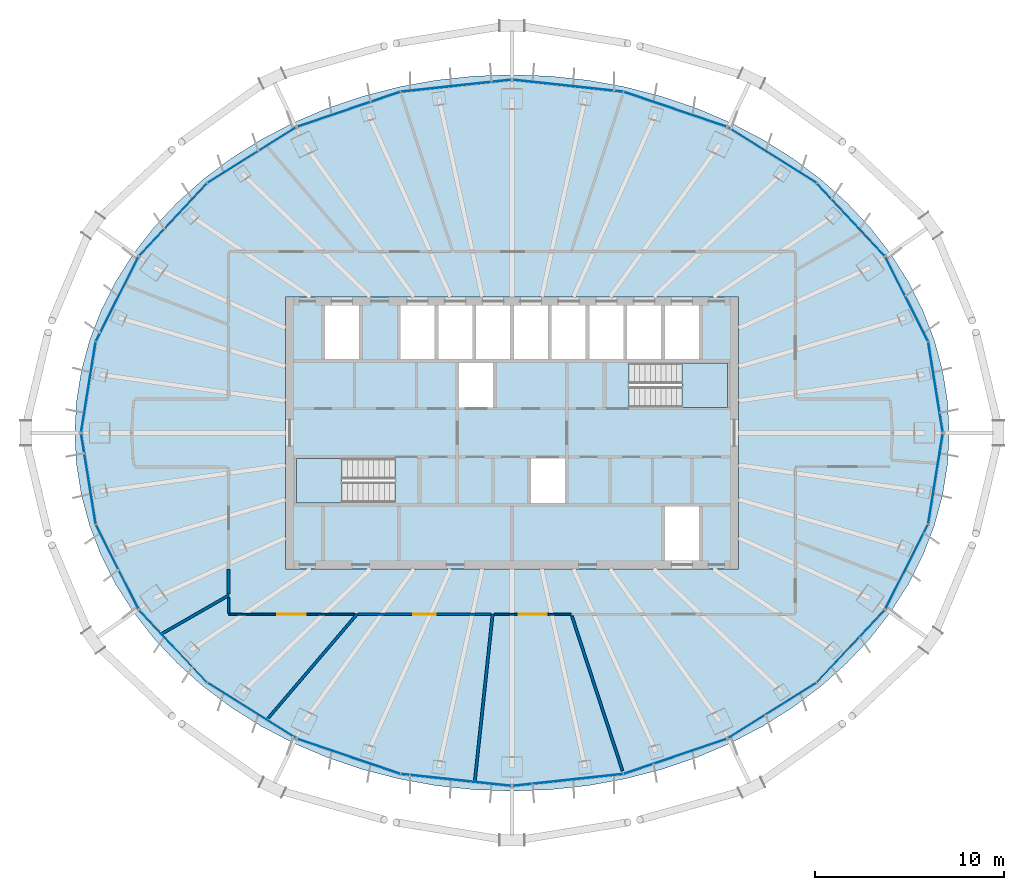
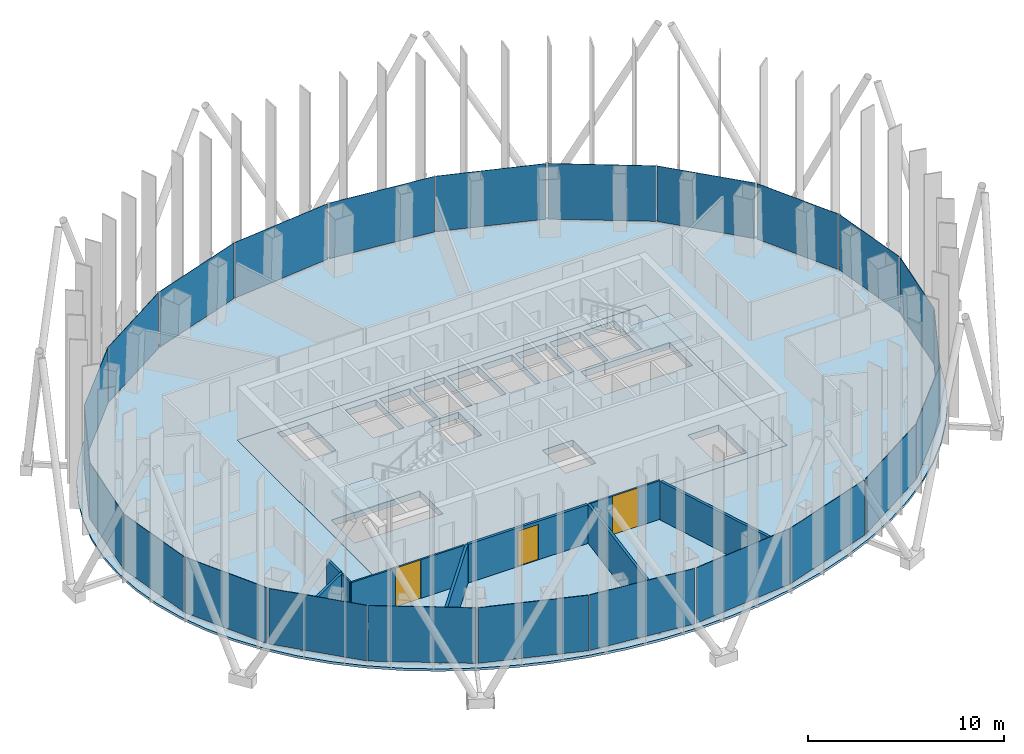
# One storey, part 7 of 17: 24 plates, 9 walls, 4 slabs, 3 doors, 3 openings, 14 elements without a shape of their own.
"""IFC4 building model written with IfcOpenShell, lengths in metres."""

from ifc_helpers import new_model, si_unit, direction, frame, frame_2d, origin, origin_2d, place, context, subcontext, project, spatial, polyline, rectangle, outline, extrude, material, layer, layer_set, type_object, element, fill, aggregate, save


model = new_model("IFC4")

# Units and contexts
model_context = context("Model", 3, precision=1e-05, world=origin(), true_north=direction((0.0, 1.0)))
body_context = subcontext(model_context, "Body", "Model", "MODEL_VIEW")
ifc_project = project(units=[si_unit("LENGTHUNIT", "METRE"), si_unit("AREAUNIT", "SQUARE_METRE"), si_unit("VOLUMEUNIT", "CUBIC_METRE"), si_unit("PLANEANGLEUNIT", "RADIAN"), si_unit("MASSUNIT", "GRAM", prefix="KILO")], contexts=[model_context])

# Site, building, storey
site_placement = place(None, origin())
site = spatial("IfcSite", under=ifc_project, at=site_placement, CompositionType="ELEMENT")
building_placement = place(site_placement, origin())
building = spatial("IfcBuilding", under=site, at=building_placement, Name="Siaravel Broadcast Tower", CompositionType="ELEMENT")
storey_placement = place(building_placement, frame((0.0, 0.0, 190.39990234375)))
storey = spatial("IfcBuildingStorey", under=building, at=storey_placement, Name="L46", CompositionType="ELEMENT", Elevation=190.39990234375)

# Curtain wall, plates
ifc_material_1 = material(Name="Aluminium 6063-T6", Category="aluminium")
ifc_layer_1 = layer(ifc_material_1, 0.179931640625)
ifc_layer_set_1 = layer_set([ifc_layer_1], Name="Aluminium 6063-T6")
curtain_wall_type = type_object("IfcCurtainWallType", Name="Unitised curtain wall, zone 3", PredefinedType="NOTDEFINED", material=ifc_layer_set_1)
curtain_wall_1_placement = place(storey_placement, origin())
curtain_wall_1 = element("IfcCurtainWall", 1, at=curtain_wall_1_placement, inside=storey, type_object=curtain_wall_type, Name="L46 Unitised curtain wall, zone 3 01", PredefinedType="NOTDEFINED")
ifc_material_2 = material(Name="Tinted insulated glass", Category="glass")
ifc_layer_2 = layer(ifc_material_2, 0.028076171875)
ifc_layer_set_2 = layer_set([ifc_layer_2], Name="Tinted insulated glass")
plate_type = type_object("IfcPlateType", Name="CW-Z3 glass panel", PredefinedType="CURTAIN_PANEL", material=ifc_layer_set_2)
plate_1_placement = place(storey_placement, frame((22.4189453125, 2.435302734375, 0.10009765625), z_axis=(0.0, 0.0, 1.0), x_axis=(-0.158685461, 0.987329188, 0.0)))
plate_1 = element("IfcPlate", 2, at=plate_1_placement, type_object=plate_type, Name="CW-Z3 glass panel", PredefinedType="CURTAIN_PANEL", context=body_context, shape_type="SweptSolid", body=[
    extrude(rectangle(XDim=4.81298828125, YDim=0.028076171875, at=origin_2d()), origin(), (0.0, 0.0, 1.0), 3.449951171875),
])
plate_2_placement = place(storey_placement, frame((20.898681640625, 7.082275390625, 0.10009765625), z_axis=(0.0, 0.0, 1.0), x_axis=(-0.45126085, 0.892392092, 0.0)))
plate_2 = element("IfcPlate", 3, at=plate_2_placement, type_object=plate_type, Name="CW-Z3 glass panel", PredefinedType="CURTAIN_PANEL", context=body_context, shape_type="SweptSolid", body=[
    extrude(rectangle(XDim=4.96337890625, YDim=0.028076171875, at=origin_2d()), origin(), (0.0, 0.0, 1.0), 3.449951171875),
])
aggregate(curtain_wall_1, [plate_1, plate_2])

curtain_wall_2_placement = place(storey_placement, origin())
curtain_wall_2 = element("IfcCurtainWall", 4, at=curtain_wall_2_placement, inside=storey, type_object=curtain_wall_type, Name="L46 Unitised curtain wall, zone 3 02", PredefinedType="NOTDEFINED")
plate_3_placement = place(storey_placement, frame((17.928466796875, 11.296875, 0.10009765625), z_axis=(0.0, 0.0, 1.0), x_axis=(-0.6836552, 0.729805157, 0.0)))
plate_3 = element("IfcPlate", 5, at=plate_3_placement, type_object=plate_type, Name="CW-Z3 glass panel", PredefinedType="CURTAIN_PANEL", context=body_context, shape_type="SweptSolid", body=[
    extrude(rectangle(XDim=5.214111328125, YDim=0.028076171875, at=origin_2d()), origin(), (0.0, 0.0, 1.0), 3.449951171875),
])
plate_4_placement = place(storey_placement, frame((13.7763671875, 14.697998046875, 0.10009765625), z_axis=(0.0, 0.0, 1.0), x_axis=(-0.846650687, 0.532149052, 0.0)))
plate_4 = element("IfcPlate", 6, at=plate_4_placement, type_object=plate_type, Name="CW-Z3 glass panel", PredefinedType="CURTAIN_PANEL", context=body_context, shape_type="SweptSolid", body=[
    extrude(rectangle(XDim=5.48974609375, YDim=0.028076171875, at=origin_2d()), origin(), (0.0, 0.0, 1.0), 3.449951171875),
])
aggregate(curtain_wall_2, [plate_3, plate_4])

curtain_wall_3_placement = place(storey_placement, origin())
curtain_wall_3 = element("IfcCurtainWall", 7, at=curtain_wall_3_placement, inside=storey, type_object=curtain_wall_type, Name="L46 Unitised curtain wall, zone 3 03", PredefinedType="NOTDEFINED")
plate_5_placement = place(storey_placement, frame((8.63720703125, 17.128662109375, 0.10009765625), z_axis=(0.0, 0.0, 1.0), x_axis=(-0.946977305, 0.321300458, 0.0)))
plate_5 = element("IfcPlate", 8, at=plate_5_placement, type_object=plate_type, Name="CW-Z3 glass panel", PredefinedType="CURTAIN_PANEL", context=body_context, shape_type="SweptSolid", body=[
    extrude(rectangle(XDim=5.718017578125, YDim=0.028076171875, at=origin_2d()), origin(), (0.0, 0.0, 1.0), 3.449951171875),
])
plate_6_placement = place(storey_placement, frame((2.9658203125, 18.373291015625, 0.10009765625), z_axis=(0.0, 0.0, 1.0), x_axis=(-0.994235598, 0.107217422, 0.0)))
plate_6 = element("IfcPlate", 9, at=plate_6_placement, type_object=plate_type, Name="CW-Z3 glass panel", PredefinedType="CURTAIN_PANEL", context=body_context, shape_type="SweptSolid", body=[
    extrude(rectangle(XDim=5.845703125, YDim=0.028076171875, at=origin_2d()), origin(), (0.0, 0.0, 1.0), 3.449951171875),
])
aggregate(curtain_wall_3, [plate_5, plate_6])

curtain_wall_4_placement = place(storey_placement, origin())
curtain_wall_4 = element("IfcCurtainWall", 10, at=curtain_wall_4_placement, inside=storey, type_object=curtain_wall_type, Name="L46 Unitised curtain wall, zone 3 04", PredefinedType="NOTDEFINED")
plate_7_placement = place(storey_placement, frame((-2.9658203125, 18.373291015625, 0.10009765625), z_axis=(0.0, 0.0, 1.0), x_axis=(-0.994235598, -0.107217422, 0.0)))
plate_7 = element("IfcPlate", 11, at=plate_7_placement, type_object=plate_type, Name="CW-Z3 glass panel", PredefinedType="CURTAIN_PANEL", context=body_context, shape_type="SweptSolid", body=[
    extrude(rectangle(XDim=5.845703125, YDim=0.028076171875, at=origin_2d()), origin(), (0.0, 0.0, 1.0), 3.449951171875),
])
plate_8_placement = place(storey_placement, frame((-8.63720703125, 17.128662109375, 0.10009765625), z_axis=(0.0, 0.0, 1.0), x_axis=(-0.946977305, -0.321300458, 0.0)))
plate_8 = element("IfcPlate", 12, at=plate_8_placement, type_object=plate_type, Name="CW-Z3 glass panel", PredefinedType="CURTAIN_PANEL", context=body_context, shape_type="SweptSolid", body=[
    extrude(rectangle(XDim=5.718017578125, YDim=0.028076171875, at=origin_2d()), origin(), (0.0, 0.0, 1.0), 3.449951171875),
])
aggregate(curtain_wall_4, [plate_7, plate_8])

curtain_wall_5_placement = place(storey_placement, origin())
curtain_wall_5 = element("IfcCurtainWall", 13, at=curtain_wall_5_placement, inside=storey, type_object=curtain_wall_type, Name="L46 Unitised curtain wall, zone 3 05", PredefinedType="NOTDEFINED")
plate_9_placement = place(storey_placement, frame((-13.7763671875, 14.697998046875, 0.10009765625), z_axis=(0.0, 0.0, 1.0), x_axis=(-0.846650687, -0.532149052, 0.0)))
plate_9 = element("IfcPlate", 14, at=plate_9_placement, type_object=plate_type, Name="CW-Z3 glass panel", PredefinedType="CURTAIN_PANEL", context=body_context, shape_type="SweptSolid", body=[
    extrude(rectangle(XDim=5.48974609375, YDim=0.028076171875, at=origin_2d()), origin(), (0.0, 0.0, 1.0), 3.449951171875),
])
plate_10_placement = place(storey_placement, frame((-17.928466796875, 11.296875, 0.10009765625), z_axis=(0.0, 0.0, 1.0), x_axis=(-0.6836552, -0.729805157, 0.0)))
plate_10 = element("IfcPlate", 15, at=plate_10_placement, type_object=plate_type, Name="CW-Z3 glass panel", PredefinedType="CURTAIN_PANEL", context=body_context, shape_type="SweptSolid", body=[
    extrude(rectangle(XDim=5.214111328125, YDim=0.028076171875, at=origin_2d()), origin(), (0.0, 0.0, 1.0), 3.449951171875),
])
aggregate(curtain_wall_5, [plate_9, plate_10])

curtain_wall_6_placement = place(storey_placement, origin())
curtain_wall_6 = element("IfcCurtainWall", 16, at=curtain_wall_6_placement, inside=storey, type_object=curtain_wall_type, Name="L46 Unitised curtain wall, zone 3 06", PredefinedType="NOTDEFINED")
plate_11_placement = place(storey_placement, frame((-20.898681640625, 7.082275390625, 0.10009765625), z_axis=(0.0, 0.0, 1.0), x_axis=(-0.45126085, -0.892392092, 0.0)))
plate_11 = element("IfcPlate", 17, at=plate_11_placement, type_object=plate_type, Name="CW-Z3 glass panel", PredefinedType="CURTAIN_PANEL", context=body_context, shape_type="SweptSolid", body=[
    extrude(rectangle(XDim=4.96337890625, YDim=0.028076171875, at=origin_2d()), origin(), (0.0, 0.0, 1.0), 3.449951171875),
])
plate_12_placement = place(storey_placement, frame((-22.4189453125, 2.435302734375, 0.10009765625), z_axis=(0.0, 0.0, 1.0), x_axis=(-0.158685461, -0.987329188, 0.0)))
plate_12 = element("IfcPlate", 18, at=plate_12_placement, type_object=plate_type, Name="CW-Z3 glass panel", PredefinedType="CURTAIN_PANEL", context=body_context, shape_type="SweptSolid", body=[
    extrude(rectangle(XDim=4.81298828125, YDim=0.028076171875, at=origin_2d()), origin(), (0.0, 0.0, 1.0), 3.449951171875),
])
aggregate(curtain_wall_6, [plate_11, plate_12])

curtain_wall_7_placement = place(storey_placement, origin())
curtain_wall_7 = element("IfcCurtainWall", 19, at=curtain_wall_7_placement, inside=storey, type_object=curtain_wall_type, Name="L46 Unitised curtain wall, zone 3 07", PredefinedType="NOTDEFINED")
plate_13_placement = place(storey_placement, frame((-22.4189453125, -2.435302734375, 0.10009765625), z_axis=(0.0, 0.0, 1.0), x_axis=(0.158685461, -0.987329188, 0.0)))
plate_13 = element("IfcPlate", 20, at=plate_13_placement, type_object=plate_type, Name="CW-Z3 glass panel", PredefinedType="CURTAIN_PANEL", context=body_context, shape_type="SweptSolid", body=[
    extrude(rectangle(XDim=4.81298828125, YDim=0.028076171875, at=origin_2d()), origin(), (0.0, 0.0, 1.0), 3.449951171875),
])
plate_14_placement = place(storey_placement, frame((-20.898681640625, -7.082275390625, 0.10009765625), z_axis=(0.0, 0.0, 1.0), x_axis=(0.45126085, -0.892392092, 0.0)))
plate_14 = element("IfcPlate", 21, at=plate_14_placement, type_object=plate_type, Name="CW-Z3 glass panel", PredefinedType="CURTAIN_PANEL", context=body_context, shape_type="SweptSolid", body=[
    extrude(rectangle(XDim=4.96337890625, YDim=0.028076171875, at=origin_2d()), origin(), (0.0, 0.0, 1.0), 3.449951171875),
])
aggregate(curtain_wall_7, [plate_13, plate_14])

curtain_wall_8_placement = place(storey_placement, origin())
curtain_wall_8 = element("IfcCurtainWall", 22, at=curtain_wall_8_placement, inside=storey, type_object=curtain_wall_type, Name="L46 Unitised curtain wall, zone 3 08", PredefinedType="NOTDEFINED")
plate_15_placement = place(storey_placement, frame((-17.928466796875, -11.296875, 0.10009765625), z_axis=(0.0, 0.0, 1.0), x_axis=(0.6836552, -0.729805157, 0.0)))
plate_15 = element("IfcPlate", 23, at=plate_15_placement, type_object=plate_type, Name="CW-Z3 glass panel", PredefinedType="CURTAIN_PANEL", context=body_context, shape_type="SweptSolid", body=[
    extrude(rectangle(XDim=5.214111328125, YDim=0.028076171875, at=origin_2d()), origin(), (0.0, 0.0, 1.0), 3.449951171875),
])
plate_16_placement = place(storey_placement, frame((-13.7763671875, -14.697998046875, 0.10009765625), z_axis=(0.0, 0.0, 1.0), x_axis=(0.846650687, -0.532149052, 0.0)))
plate_16 = element("IfcPlate", 24, at=plate_16_placement, type_object=plate_type, Name="CW-Z3 glass panel", PredefinedType="CURTAIN_PANEL", context=body_context, shape_type="SweptSolid", body=[
    extrude(rectangle(XDim=5.48974609375, YDim=0.028076171875, at=origin_2d()), origin(), (0.0, 0.0, 1.0), 3.449951171875),
])
aggregate(curtain_wall_8, [plate_15, plate_16])

curtain_wall_9_placement = place(storey_placement, origin())
curtain_wall_9 = element("IfcCurtainWall", 25, at=curtain_wall_9_placement, inside=storey, type_object=curtain_wall_type, Name="L46 Unitised curtain wall, zone 3 09", PredefinedType="NOTDEFINED")
plate_17_placement = place(storey_placement, frame((-8.63720703125, -17.128662109375, 0.10009765625), z_axis=(0.0, 0.0, 1.0), x_axis=(0.946977305, -0.321300458, 0.0)))
plate_17 = element("IfcPlate", 26, at=plate_17_placement, type_object=plate_type, Name="CW-Z3 glass panel", PredefinedType="CURTAIN_PANEL", context=body_context, shape_type="SweptSolid", body=[
    extrude(rectangle(XDim=5.718017578125, YDim=0.028076171875, at=origin_2d()), origin(), (0.0, 0.0, 1.0), 3.449951171875),
])
plate_18_placement = place(storey_placement, frame((-2.9658203125, -18.373291015625, 0.10009765625), z_axis=(0.0, 0.0, 1.0), x_axis=(0.994235598, -0.107217422, 0.0)))
plate_18 = element("IfcPlate", 27, at=plate_18_placement, type_object=plate_type, Name="CW-Z3 glass panel", PredefinedType="CURTAIN_PANEL", context=body_context, shape_type="SweptSolid", body=[
    extrude(rectangle(XDim=5.845703125, YDim=0.028076171875, at=origin_2d()), origin(), (0.0, 0.0, 1.0), 3.449951171875),
])
aggregate(curtain_wall_9, [plate_17, plate_18])

curtain_wall_10_placement = place(storey_placement, origin())
curtain_wall_10 = element("IfcCurtainWall", 28, at=curtain_wall_10_placement, inside=storey, type_object=curtain_wall_type, Name="L46 Unitised curtain wall, zone 3 10", PredefinedType="NOTDEFINED")
plate_19_placement = place(storey_placement, frame((2.9658203125, -18.373291015625, 0.10009765625), z_axis=(0.0, 0.0, 1.0), x_axis=(0.994235598, 0.107217422, 0.0)))
plate_19 = element("IfcPlate", 29, at=plate_19_placement, type_object=plate_type, Name="CW-Z3 glass panel", PredefinedType="CURTAIN_PANEL", context=body_context, shape_type="SweptSolid", body=[
    extrude(rectangle(XDim=5.845703125, YDim=0.028076171875, at=origin_2d()), origin(), (0.0, 0.0, 1.0), 3.449951171875),
])
plate_20_placement = place(storey_placement, frame((8.63720703125, -17.128662109375, 0.10009765625), z_axis=(0.0, 0.0, 1.0), x_axis=(0.946977305, 0.321300458, 0.0)))
plate_20 = element("IfcPlate", 30, at=plate_20_placement, type_object=plate_type, Name="CW-Z3 glass panel", PredefinedType="CURTAIN_PANEL", context=body_context, shape_type="SweptSolid", body=[
    extrude(rectangle(XDim=5.718017578125, YDim=0.028076171875, at=origin_2d()), origin(), (0.0, 0.0, 1.0), 3.449951171875),
])
aggregate(curtain_wall_10, [plate_19, plate_20])

curtain_wall_11_placement = place(storey_placement, origin())
curtain_wall_11 = element("IfcCurtainWall", 31, at=curtain_wall_11_placement, inside=storey, type_object=curtain_wall_type, Name="L46 Unitised curtain wall, zone 3 11", PredefinedType="NOTDEFINED")
plate_21_placement = place(storey_placement, frame((13.7763671875, -14.697998046875, 0.10009765625), z_axis=(0.0, 0.0, 1.0), x_axis=(0.846650687, 0.532149052, 0.0)))
plate_21 = element("IfcPlate", 32, at=plate_21_placement, type_object=plate_type, Name="CW-Z3 glass panel", PredefinedType="CURTAIN_PANEL", context=body_context, shape_type="SweptSolid", body=[
    extrude(rectangle(XDim=5.48974609375, YDim=0.028076171875, at=origin_2d()), origin(), (0.0, 0.0, 1.0), 3.449951171875),
])
plate_22_placement = place(storey_placement, frame((17.928466796875, -11.296875, 0.10009765625), z_axis=(0.0, 0.0, 1.0), x_axis=(0.6836552, 0.729805157, 0.0)))
plate_22 = element("IfcPlate", 33, at=plate_22_placement, type_object=plate_type, Name="CW-Z3 glass panel", PredefinedType="CURTAIN_PANEL", context=body_context, shape_type="SweptSolid", body=[
    extrude(rectangle(XDim=5.214111328125, YDim=0.028076171875, at=origin_2d()), origin(), (0.0, 0.0, 1.0), 3.449951171875),
])
aggregate(curtain_wall_11, [plate_21, plate_22])

curtain_wall_12_placement = place(storey_placement, origin())
curtain_wall_12 = element("IfcCurtainWall", 34, at=curtain_wall_12_placement, inside=storey, type_object=curtain_wall_type, Name="L46 Unitised curtain wall, zone 3 12", PredefinedType="NOTDEFINED")
plate_23_placement = place(storey_placement, frame((20.898681640625, -7.082275390625, 0.10009765625), z_axis=(0.0, 0.0, 1.0), x_axis=(0.45126085, 0.892392092, 0.0)))
plate_23 = element("IfcPlate", 35, at=plate_23_placement, type_object=plate_type, Name="CW-Z3 glass panel", PredefinedType="CURTAIN_PANEL", context=body_context, shape_type="SweptSolid", body=[
    extrude(rectangle(XDim=4.96337890625, YDim=0.028076171875, at=origin_2d()), origin(), (0.0, 0.0, 1.0), 3.449951171875),
])
plate_24_placement = place(storey_placement, frame((22.4189453125, -2.435302734375, 0.10009765625), z_axis=(0.0, 0.0, 1.0), x_axis=(0.158685461, 0.987329188, 0.0)))
plate_24 = element("IfcPlate", 36, at=plate_24_placement, type_object=plate_type, Name="CW-Z3 glass panel", PredefinedType="CURTAIN_PANEL", context=body_context, shape_type="SweptSolid", body=[
    extrude(rectangle(XDim=4.81298828125, YDim=0.028076171875, at=origin_2d()), origin(), (0.0, 0.0, 1.0), 3.449951171875),
])
aggregate(curtain_wall_12, [plate_23, plate_24])

# Slabs
ifc_material_3 = material(Name="Concrete C40/50", Category="concrete")
ifc_layer_3 = layer(ifc_material_3, 0.39990234375)
ifc_layer_set_3 = layer_set([ifc_layer_3], Name="Concrete C40/50")
slab_type_1 = type_object("IfcSlabType", Name="Core floor slab 400", PredefinedType="FLOOR", material=ifc_layer_set_3)
slab_1_placement = place(storey_placement, frame((0.0, 0.0, -0.39990234375)))
element("IfcSlab", 37, at=slab_1_placement, inside=storey, type_object=slab_type_1, Name="L46 core floor", PredefinedType="FLOOR", context=body_context, shape_type="SweptSolid", body=[
    extrude(outline(polyline([(-12.0, -7.199951171875), (-12.0, 7.199951171875), (12.0, 7.199951171875), (12.0, -7.199951171875), (-12.0, -7.199951171875)]), holes=[polyline([(11.3994140625, 1.3505859375), (11.3994140625, 3.699462890625), (6.200439453125, 3.699462890625), (6.200439453125, 1.3505859375), (11.3994140625, 1.3505859375)]), polyline([(8.10009765625, -3.89990234375), (8.10009765625, -6.75), (9.89990234375, -6.75), (9.89990234375, -3.89990234375), (8.10009765625, -3.89990234375)]), polyline([(9.89990234375, 6.75), (8.10009765625, 6.75), (8.10009765625, 3.89990234375), (9.89990234375, 3.89990234375), (9.89990234375, 6.75)]), polyline([(7.89990234375, 6.75), (6.10009765625, 6.75), (6.10009765625, 3.89990234375), (7.89990234375, 3.89990234375), (7.89990234375, 6.75)]), polyline([(5.89990234375, 6.75), (4.10009765625, 6.75), (4.10009765625, 3.89990234375), (5.89990234375, 3.89990234375), (5.89990234375, 6.75)]), polyline([(3.89990234375, 6.75), (2.10009765625, 6.75), (2.10009765625, 3.89990234375), (3.89990234375, 3.89990234375), (3.89990234375, 6.75)]), polyline([(2.800048828125, -1.35009765625), (1.0, -1.35009765625), (1.0, -3.699951171875), (2.800048828125, -3.699951171875), (2.800048828125, -1.35009765625)]), polyline([(1.89990234375, 6.75), (0.10009765625, 6.75), (0.10009765625, 3.89990234375), (1.89990234375, 3.89990234375), (1.89990234375, 6.75)]), polyline([(-0.10009765625, 6.75), (-1.89990234375, 6.75), (-1.89990234375, 3.89990234375), (-0.10009765625, 3.89990234375), (-0.10009765625, 6.75)]), polyline([(-1.0, 3.699951171875), (-2.800048828125, 3.699951171875), (-2.800048828125, 1.35009765625), (-1.0, 1.35009765625), (-1.0, 3.699951171875)]), polyline([(-2.10009765625, 6.75), (-3.89990234375, 6.75), (-3.89990234375, 3.89990234375), (-2.10009765625, 3.89990234375), (-2.10009765625, 6.75)]), polyline([(-4.10009765625, 6.75), (-5.89990234375, 6.75), (-5.89990234375, 3.89990234375), (-4.10009765625, 3.89990234375), (-4.10009765625, 6.75)]), polyline([(-11.3994140625, -3.699462890625), (-6.200439453125, -3.699462890625), (-6.200439453125, -1.3505859375), (-11.3994140625, -1.3505859375), (-11.3994140625, -3.699462890625)]), polyline([(-8.10009765625, 6.75), (-9.89990234375, 6.75), (-9.89990234375, 3.89990234375), (-8.10009765625, 3.89990234375), (-8.10009765625, 6.75)])]), origin(), (0.0, 0.0, 1.0), 0.39990234375),
])
ifc_layer_4 = layer(ifc_material_3, 0.14990234375)
ifc_layer_set_4 = layer_set([ifc_layer_4], Name="Concrete C40/50")
slab_type_2 = type_object("IfcSlabType", Name="SLB-FLOOR-150", PredefinedType="FLOOR", material=ifc_layer_set_4)
slab_2_placement = place(storey_placement, frame((0.0, 0.0, -0.14990234375)))
element("IfcSlab", 38, at=slab_2_placement, inside=storey, type_object=slab_type_2, Name="Floor slab", PredefinedType="FLOOR", context=body_context, shape_type="SweptSolid", body=[
    extrude(outline(polyline([(23.14453125, 0.0), (23.056396484375, 1.65234375), (22.79296875, 3.2919921875), (22.35595703125, 4.90673828125), (21.748779296875, 6.48388671875), (20.97607421875, 8.011962890625), (20.043701171875, 9.47900390625), (18.958984375, 10.873779296875), (17.729736328125, 12.185791015625), (16.365478515625, 13.4052734375), (14.876953125, 14.522705078125), (13.275146484375, 15.529296875), (11.572265625, 16.41796875), (9.78125, 17.181640625), (7.916015625, 17.814697265625), (5.990234375, 18.31201171875), (4.01904296875, 18.669921875), (2.01708984375, 18.8857421875), (0.0, 18.9580078125), (-2.01708984375, 18.8857421875), (-4.01904296875, 18.669921875), (-5.990234375, 18.31201171875), (-7.916015625, 17.814697265625), (-9.78125, 17.181640625), (-11.572265625, 16.41796875), (-13.275146484375, 15.529296875), (-14.876953125, 14.522705078125), (-16.365478515625, 13.4052734375), (-17.729736328125, 12.185791015625), (-18.958984375, 10.873779296875), (-20.043701171875, 9.47900390625), (-20.97607421875, 8.011962890625), (-21.748779296875, 6.48388671875), (-22.35595703125, 4.90673828125), (-22.79296875, 3.2919921875), (-23.056396484375, 1.65234375), (-23.14453125, 0.0), (-23.056396484375, -1.65234375), (-22.79296875, -3.2919921875), (-22.35595703125, -4.90673828125), (-21.748779296875, -6.48388671875), (-20.97607421875, -8.011962890625), (-20.043701171875, -9.47900390625), (-18.958984375, -10.873779296875), (-17.729736328125, -12.185791015625), (-16.365478515625, -13.4052734375), (-14.876953125, -14.522705078125), (-13.275146484375, -15.529296875), (-11.572265625, -16.41796875), (-9.78125, -17.181640625), (-7.916015625, -17.814697265625), (-5.990234375, -18.31201171875), (-4.01904296875, -18.669921875), (-2.01708984375, -18.8857421875), (0.0, -18.9580078125), (2.01708984375, -18.8857421875), (4.01904296875, -18.669921875), (5.990234375, -18.31201171875), (7.916015625, -17.814697265625), (9.78125, -17.181640625), (11.572265625, -16.41796875), (13.275146484375, -15.529296875), (14.876953125, -14.522705078125), (16.365478515625, -13.4052734375), (17.729736328125, -12.185791015625), (18.958984375, -10.873779296875), (20.043701171875, -9.47900390625), (20.97607421875, -8.011962890625), (21.748779296875, -6.48388671875), (22.35595703125, -4.90673828125), (22.79296875, -3.2919921875), (23.056396484375, -1.65234375), (23.14453125, 0.0)]), holes=[polyline([(-12.0, 7.199951171875), (12.0, 7.199951171875), (12.0, -7.199951171875), (-12.0, -7.199951171875), (-12.0, 7.199951171875)])]), origin(), (0.0, 0.0, 1.0), 0.14990234375),
])

# Stair, slab
stair_type = type_object("IfcStairType", Name="Core exit stair", PredefinedType="HALF_TURN_STAIR", material=ifc_material_3)
stair_1_placement = place(storey_placement, origin())
stair_1 = element("IfcStair", 39, at=stair_1_placement, inside=storey, type_object=stair_type, Name="L46 Exit stair ST-1", PredefinedType="HALF_TURN_STAIR")
ifc_layer_5 = layer(ifc_material_3, 0.199951171875)
ifc_layer_set_5 = layer_set([ifc_layer_5], Name="Concrete C40/50")
slab_type_3 = type_object("IfcSlabType", Name="Stair landing", PredefinedType="LANDING", material=ifc_layer_set_5)
slab_3_placement = place(storey_placement, frame((0.0, 0.0, 1.650146484375)))
slab_3 = element("IfcSlab", 40, at=slab_3_placement, type_object=slab_type_3, Name="ST-1 landing 1", PredefinedType="LANDING", context=body_context, shape_type="SweptSolid", body=[
    extrude(outline(polyline([(-9.0, -1.35009765625), (-11.39990234375, -1.35009765625), (-11.39990234375, -3.699951171875), (-9.0, -3.699951171875), (-9.0, -1.35009765625)])), origin(), (0.0, 0.0, 1.0), 0.199951171875),
])
aggregate(stair_1, [slab_3])

stair_2_placement = place(storey_placement, origin())
stair_2 = element("IfcStair", 41, at=stair_2_placement, inside=storey, type_object=stair_type, Name="L46 Exit stair ST-2", PredefinedType="HALF_TURN_STAIR")
slab_4_placement = place(storey_placement, frame((0.0, 0.0, 1.650146484375)))
slab_4 = element("IfcSlab", 42, at=slab_4_placement, type_object=slab_type_3, Name="ST-2 landing 1", PredefinedType="LANDING", context=body_context, shape_type="SweptSolid", body=[
    extrude(outline(polyline([(9.0, 1.35009765625), (11.39990234375, 1.35009765625), (11.39990234375, 3.699951171875), (9.0, 3.699951171875), (9.0, 1.35009765625)])), origin(), (0.0, 0.0, 1.0), 0.199951171875),
])
aggregate(stair_2, [slab_4])

# Wall, opening, door
ifc_material_4 = material(Name="Gypsum board partition", Category="gypsum")
ifc_layer_6 = layer(ifc_material_4, 0.14990234375)
ifc_layer_set_6 = layer_set([ifc_layer_6], Name="Gypsum board partition")
wall_type_1 = type_object("IfcWallType", Name="Corridor wall 150", PredefinedType="PARTITIONING", material=ifc_layer_set_6)
wall_1_placement = place(storey_placement, frame((-8.1474609375, -9.60009765625, 0.0), z_axis=(0.0, 0.0, 1.0), x_axis=(1.0, 0.0, 0.0)))
wall_1 = element("IfcWall", 43, at=wall_1_placement, inside=storey, type_object=wall_type_1, Name="L46 partition 9", PredefinedType="PARTITIONING", context=body_context, shape_type="SweptSolid", body=[
    extrude(rectangle(XDim=7.03662109375, YDim=0.14990234375, at=frame_2d((3.518310546875, 0.0))), origin(), (0.0, 0.0, 1.0), 2.400146484375),
])
opening_1_placement = place(wall_1_placement, frame((2.918212890625, 0.0, 0.0)))
opening_1 = element("IfcOpeningElement", 44, at=opening_1_placement, cuts=wall_1, Name="Opening L46-001", PredefinedType="OPENING", context=body_context, shape_type="SweptSolid", body=[
    extrude(rectangle(XDim=1.199951171875, YDim=2.199951171875, at=frame_2d((0.60009765625, 1.10009765625))), frame((0.0, 0.0849609375, 0.0), z_axis=(0.0, -1.0, 0.0), x_axis=(1.0, 0.0, 0.0)), (0.0, 0.0, 1.0), 0.169921875),
])
ifc_material_5 = material(Name="Timber veneer", Category="wood")
door_type_1 = type_object("IfcDoorType", Name="Office double door 1200", OperationType="DOUBLE_DOOR_SINGLE_SWING", PredefinedType="DOOR", material=ifc_material_5)
door_1_placement = place(opening_1_placement, origin())
door_1 = element("IfcDoor", 45, at=door_1_placement, inside=storey, type_object=door_type_1, Name="L46 door to Open plan office", OperationType="DOUBLE_DOOR_SINGLE_SWING", OverallHeight=2.199951171875, OverallWidth=1.199951171875, PredefinedType="DOOR", context=body_context, shape_type="SweptSolid", body=[
    extrude(rectangle(XDim=1.199951171875, YDim=2.199951171875, at=frame_2d((0.60009765625, 1.10009765625))), frame((0.0, 0.02490234375, 0.0), z_axis=(0.0, -1.0, 0.0), x_axis=(1.0, 0.0, 0.0)), (0.0, 0.0, 1.0), 0.050048828125),
])
fill(opening_1, door_1)

# Wall
wall_2_placement = place(storey_placement, frame((-15.0, -7.212890625, 0.0), z_axis=(0.0, 0.0, 1.0), x_axis=(0.0, -1.0, 0.0)))
element("IfcWall", 46, at=wall_2_placement, inside=storey, type_object=wall_type_1, Name="L46 partition 33", PredefinedType="PARTITIONING", context=body_context, shape_type="SweptSolid", body=[
    extrude(rectangle(XDim=1.3232421875, YDim=0.14990234375, at=frame_2d((0.66162109375, 0.0))), origin(), (0.0, 0.0, 1.0), 2.400146484375),
])

# Wall, opening, door
ifc_material_6 = material(Name="Glazed aluminium partition", Category="aluminium")
ifc_layer_7 = layer(ifc_material_6, 0.10009765625)
ifc_layer_set_7 = layer_set([ifc_layer_7], Name="Glazed aluminium partition")
wall_type_2 = type_object("IfcWallType", Name="Glazed meeting room partition 100", PredefinedType="PARTITIONING", material=ifc_layer_set_7)
wall_3_placement = place(storey_placement, frame((-15.0, -9.60009765625, 0.0), z_axis=(0.0, 0.0, 1.0), x_axis=(1.0, 0.0, 0.0)))
wall_3 = element("IfcWall", 47, at=wall_3_placement, inside=storey, type_object=wall_type_2, Name="L46 partition 10", PredefinedType="PARTITIONING", context=body_context, shape_type="SweptSolid", body=[
    extrude(rectangle(XDim=6.650146484375, YDim=0.10009765625, at=frame_2d((3.3251953125, 0.0))), origin(), (0.0, 0.0, 1.0), 2.400146484375),
])
opening_2_placement = place(wall_3_placement, frame((2.5751953125, 0.0, 0.0)))
opening_2 = element("IfcOpeningElement", 48, at=opening_2_placement, cuts=wall_3, Name="Opening L46-012", PredefinedType="OPENING", context=body_context, shape_type="SweptSolid", body=[
    extrude(rectangle(XDim=1.5, YDim=2.39990234375, at=frame_2d((0.75, 1.199951171875))), frame((0.0, 0.06005859375, 0.0), z_axis=(0.0, -1.0, 0.0), x_axis=(1.0, 0.0, 0.0)), (0.0, 0.0, 1.0), 0.1201171875),
])
door_type_2 = type_object("IfcDoorType", Name="Conference double door 1500", OperationType="DOUBLE_DOOR_SINGLE_SWING", PredefinedType="DOOR", material=ifc_material_5)
door_2_placement = place(opening_2_placement, origin())
door_2 = element("IfcDoor", 49, at=door_2_placement, inside=storey, type_object=door_type_2, Name="L46 door to Boardroom", OperationType="DOUBLE_DOOR_SINGLE_SWING", OverallHeight=2.39990234375, OverallWidth=1.5, PredefinedType="DOOR", context=body_context, shape_type="SweptSolid", body=[
    extrude(rectangle(XDim=1.5, YDim=2.39990234375, at=frame_2d((0.75, 1.199951171875))), frame((0.0, 0.02490234375, 0.0), z_axis=(0.0, -1.0, 0.0), x_axis=(1.0, 0.0, 0.0)), (0.0, 0.0, 1.0), 0.050048828125),
])
fill(opening_2, door_2)

wall_4_placement = place(storey_placement, frame((-0.94873046875, -9.60009765625, 0.0), z_axis=(0.0, 0.0, 1.0), x_axis=(1.0, 0.0, 0.0)))
wall_4 = element("IfcWall", 50, at=wall_4_placement, inside=storey, type_object=wall_type_2, Name="L46 partition 22", PredefinedType="PARTITIONING", context=body_context, shape_type="SweptSolid", body=[
    extrude(rectangle(XDim=4.088134765625, YDim=0.10009765625, at=frame_2d((2.0439453125, 0.0))), origin(), (0.0, 0.0, 1.0), 2.400146484375),
])
opening_3_placement = place(wall_4_placement, frame((1.294189453125, 0.0, 0.0)))
opening_3 = element("IfcOpeningElement", 51, at=opening_3_placement, cuts=wall_4, Name="Opening L46-002", PredefinedType="OPENING", context=body_context, shape_type="SweptSolid", body=[
    extrude(rectangle(XDim=1.5, YDim=2.39990234375, at=frame_2d((0.75, 1.199951171875))), frame((0.0, 0.06005859375, 0.0), z_axis=(0.0, -1.0, 0.0), x_axis=(1.0, 0.0, 0.0)), (0.0, 0.0, 1.0), 0.1201171875),
])
door_3_placement = place(opening_3_placement, origin())
door_3 = element("IfcDoor", 52, at=door_3_placement, inside=storey, type_object=door_type_2, Name="L46 door to Training room", OperationType="DOUBLE_DOOR_SINGLE_SWING", OverallHeight=2.39990234375, OverallWidth=1.5, PredefinedType="DOOR", context=body_context, shape_type="SweptSolid", body=[
    extrude(rectangle(XDim=1.5, YDim=2.39990234375, at=frame_2d((0.75, 1.199951171875))), frame((0.0, 0.02490234375, 0.0), z_axis=(0.0, -1.0, 0.0), x_axis=(1.0, 0.0, 0.0)), (0.0, 0.0, 1.0), 0.050048828125),
])
fill(opening_3, door_3)

# Walls
wall_5_placement = place(storey_placement, frame((-15.0, -8.720458984375, 0.0), z_axis=(0.0, 0.0, 1.0), x_axis=(0.0, -1.0, 0.0)))
element("IfcWall", 53, at=wall_5_placement, inside=storey, type_object=wall_type_2, Name="L46 partition 38", PredefinedType="PARTITIONING", context=body_context, shape_type="SweptSolid", body=[
    extrude(rectangle(XDim=0.82763671875, YDim=0.10009765625, at=frame_2d((0.413818359375, 0.0))), origin(), (0.0, 0.0, 1.0), 2.400146484375),
])
ifc_layer_8 = layer(ifc_material_4, 0.14990234375)
ifc_layer_set_8 = layer_set([ifc_layer_8], Name="Gypsum board partition")
wall_type_3 = type_object("IfcWallType", Name="Room partition 150", PredefinedType="PARTITIONING", material=ifc_layer_set_8)
wall_6_placement = place(storey_placement, frame((-1.970947265625, -18.45263671875, 0.0), z_axis=(0.0, 0.0, 1.0), x_axis=(0.106207781, 0.994343958, 0.0)))
element("IfcWall", 54, at=wall_6_placement, inside=storey, type_object=wall_type_3, Name="L46 partition 3", PredefinedType="PARTITIONING", context=body_context, shape_type="SweptSolid", body=[
    extrude(rectangle(XDim=8.90283203125, YDim=0.14990234375, at=frame_2d((4.451416015625, 0.0))), origin(), (0.0, 0.0, 1.0), 2.400146484375),
])
wall_7_placement = place(storey_placement, frame((5.853515625, -17.893798828125, 0.0), z_axis=(0.0, 0.0, 1.0), x_axis=(-0.310921391, 0.950435631, 0.0)))
element("IfcWall", 55, at=wall_7_placement, inside=storey, type_object=wall_type_3, Name="L46 partition 5", PredefinedType="PARTITIONING", context=body_context, shape_type="SweptSolid", body=[
    extrude(rectangle(XDim=8.620849609375, YDim=0.14990234375, at=frame_2d((4.310546875, 0.0))), origin(), (0.0, 0.0, 1.0), 2.400146484375),
])
wall_8_placement = place(storey_placement, frame((-8.20654296875, -9.60009765625, 0.0), z_axis=(0.0, 0.0, 1.0), x_axis=(-0.649788278, -0.76011525, 0.0)))
element("IfcWall", 56, at=wall_8_placement, inside=storey, type_object=wall_type_3, Name="L46 partition 8", PredefinedType="PARTITIONING", context=body_context, shape_type="SweptSolid", body=[
    extrude(rectangle(XDim=7.340087890625, YDim=0.14990234375, at=frame_2d((3.669921875, 0.0))), origin(), (0.0, 0.0, 1.0), 2.400146484375),
])
wall_9_placement = place(storey_placement, frame((-18.537109375, -10.632080078125, 0.0), z_axis=(0.0, 0.0, 1.0), x_axis=(0.867438786, 0.49754392, 0.0)))
element("IfcWall", 57, at=wall_9_placement, inside=storey, type_object=wall_type_3, Name="L46 partition 23", PredefinedType="PARTITIONING", context=body_context, shape_type="SweptSolid", body=[
    extrude(rectangle(XDim=4.07763671875, YDim=0.14990234375, at=frame_2d((2.038818359375, 0.0))), origin(), (0.0, 0.0, 1.0), 2.400146484375),
])

save(model, "model.ifc")
